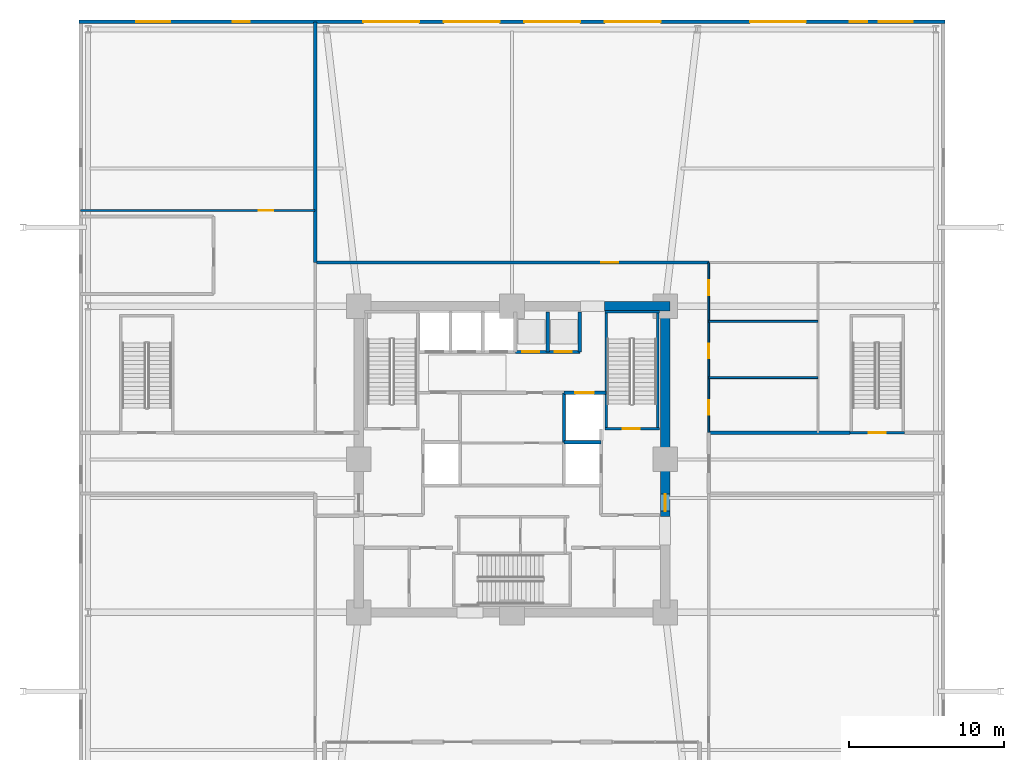
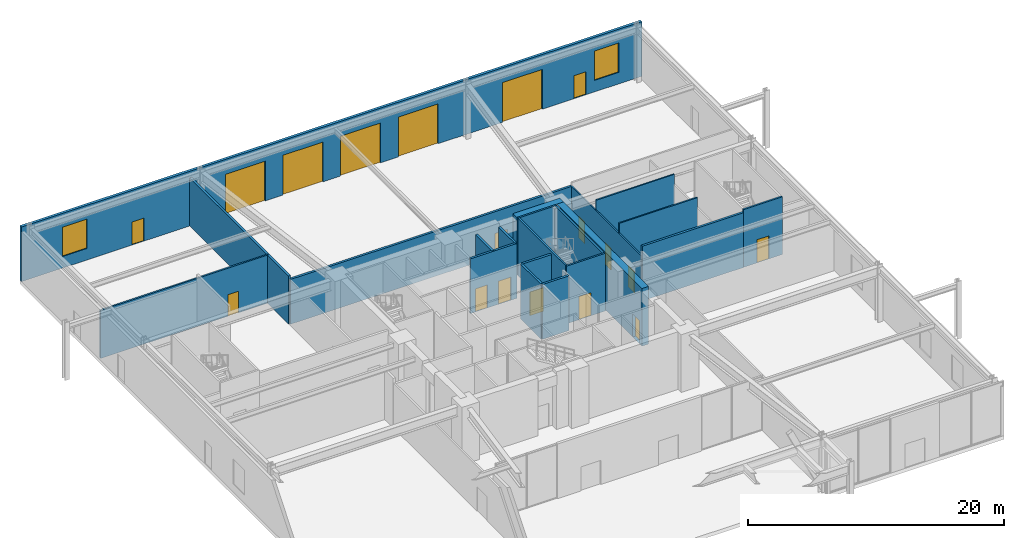
# One storey, part 20 of 24: 21 walls, 18 doors, 2 windows, 20 openings.
"""IFC4 building model written with IfcOpenShell, lengths in metres."""

from ifc_helpers import new_model, si_unit, direction, frame, frame_2d, origin, place, context, subcontext, project, spatial, rectangle, extrude, material, layer, layer_set, type_object, element, fill, save


model = new_model("IFC4")

# Units and contexts
model_context = context("Model", 3, precision=1e-05, world=origin(), true_north=direction((0.0, 1.0)))
body_context = subcontext(model_context, "Body", "Model", "MODEL_VIEW")
ifc_project = project(units=[si_unit("LENGTHUNIT", "METRE"), si_unit("AREAUNIT", "SQUARE_METRE"), si_unit("VOLUMEUNIT", "CUBIC_METRE"), si_unit("PLANEANGLEUNIT", "RADIAN"), si_unit("MASSUNIT", "GRAM", prefix="KILO")], contexts=[model_context])

# Site, building, storey
site_placement = place(None, origin())
site = spatial("IfcSite", under=ifc_project, at=site_placement, CompositionType="ELEMENT")
building_placement = place(site_placement, origin())
building = spatial("IfcBuilding", under=site, at=building_placement, Name="Kolvaren Belvedere", CompositionType="ELEMENT")
storey_placement = place(building_placement, origin())
storey = spatial("IfcBuildingStorey", under=building, at=storey_placement, Name="L01", CompositionType="ELEMENT", Elevation=0.0)

# Wall
ifc_material_1 = material(Name="Concrete C60/75", Category="concrete")
ifc_layer_1 = layer(ifc_material_1, 0.60009765625)
ifc_layer_set_1 = layer_set([ifc_layer_1], Name="Concrete C60/75")
wall_type_1 = type_object("IfcWallType", Name="CW-CORE-600", PredefinedType="SHEAR", material=ifc_layer_set_1)
wall_1_placement = place(storey_placement, frame((5.97998046875, 9.89990234375, 0.0), z_axis=(0.0, 0.0, 1.0), x_axis=(1.0, 0.0, 0.0)))
element("IfcWall", 1, at=wall_1_placement, inside=storey, type_object=wall_type_1, Name="L01 North Core Shear Wall 2", PredefinedType="SHEAR", context=body_context, shape_type="SweptSolid", body=[
    extrude(rectangle(XDim=4.219970703125, YDim=0.60009765625, at=frame_2d((2.10986328125, 0.0))), origin(), (0.0, 0.0, 1.0), 5.5),
])

# Wall, opening, door
wall_2_placement = place(storey_placement, frame((9.89990234375, -3.699951171875, 0.0), z_axis=(0.0, 0.0, 1.0), x_axis=(0.0, 1.0, 0.0)))
wall_2 = element("IfcWall", 2, at=wall_2_placement, inside=storey, type_object=wall_type_1, Name="L01 East Core Shear Wall 2", PredefinedType="SHEAR", context=body_context, shape_type="SweptSolid", body=[
    extrude(rectangle(XDim=13.300048828125, YDim=0.60009765625, at=frame_2d((6.64990234375, 0.0))), origin(), (0.0, 0.0, 1.0), 5.5),
])
opening_1_placement = place(wall_2_placement, frame((0.35009765625, 0.0, 0.0)))
opening_1 = element("IfcOpeningElement", 3, at=opening_1_placement, cuts=wall_2, Name="Opening D-FD90", PredefinedType="OPENING", context=body_context, shape_type="SweptSolid", body=[
    extrude(rectangle(XDim=1.10009765625, YDim=2.199951171875, at=frame_2d((0.550048828125, 1.10009765625))), frame((0.0, 0.31005859375, 0.0), z_axis=(0.0, -1.0, 0.0), x_axis=(1.0, 0.0, 0.0)), (0.0, 0.0, 1.0), 0.6201171875),
])
ifc_material_2 = material(Name="Painted hollow stainless steel", Category="steel")
door_type_1 = type_object("IfcDoorType", Name="DR-FD90-1100", OperationType="NOTDEFINED", PredefinedType="DOOR", material=ifc_material_2)
door_1_placement = place(opening_1_placement, origin())
door_1 = element("IfcDoor", 4, at=door_1_placement, inside=storey, type_object=door_type_1, Name="L01 East Firefighting Lobby Fire Door", OperationType="SINGLE_SWING_RIGHT", OverallHeight=2.199951171875, OverallWidth=1.10009765625, PredefinedType="DOOR", context=body_context, shape_type="SweptSolid", body=[
    extrude(rectangle(XDim=1.10009765625, YDim=2.199951171875, at=frame_2d((0.550048828125, 1.10009765625))), frame((0.0, 0.02490234375, 0.0), z_axis=(0.0, -1.0, 0.0), x_axis=(1.0, 0.0, 0.0)), (0.0, 0.0, 1.0), 0.050048828125),
])
fill(opening_1, door_1)

ifc_material_3 = material(Name="Concrete C50/60", Category="concrete")
ifc_layer_2 = layer(ifc_material_3, 0.159912109375)
ifc_layer_set_2 = layer_set([ifc_layer_2], Name="Concrete C50/60")
wall_type_2 = type_object("IfcWallType", Name="CW-STAIR-160", PredefinedType="SHEAR", material=ifc_layer_set_2)
wall_3_placement = place(storey_placement, frame((6.0, 1.969970703125, 0.0), z_axis=(0.0, 0.0, 1.0), x_axis=(1.0, 0.0, 0.0)))
wall_3 = element("IfcWall", 5, at=wall_3_placement, inside=storey, type_object=wall_type_2, Name="L01 Stair ST-2 South Shear Wall", PredefinedType="SHEAR", context=body_context, shape_type="SweptSolid", body=[
    extrude(rectangle(XDim=3.52001953125, YDim=0.159912109375, at=frame_2d((1.760009765625, 0.0))), origin(), (0.0, 0.0, 1.0), 5.5),
])
opening_2_placement = place(wall_3_placement, frame((1.14990234375, 0.0, 0.0)))
opening_2 = element("IfcOpeningElement", 6, at=opening_2_placement, cuts=wall_3, Name="Opening D-FD90", PredefinedType="OPENING", context=body_context, shape_type="SweptSolid", body=[
    extrude(rectangle(XDim=1.10009765625, YDim=2.199951171875, at=frame_2d((0.550048828125, 1.10009765625))), frame((0.0, 0.08984375, 0.0), z_axis=(0.0, -1.0, 0.0), x_axis=(1.0, 0.0, 0.0)), (0.0, 0.0, 1.0), 0.179931640625),
])
door_2_placement = place(opening_2_placement, origin())
door_2 = element("IfcDoor", 7, at=door_2_placement, inside=storey, type_object=door_type_1, Name="L01 Stair ST-2 Fire Door", OperationType="SINGLE_SWING_RIGHT", OverallHeight=2.199951171875, OverallWidth=1.10009765625, PredefinedType="DOOR", context=body_context, shape_type="SweptSolid", body=[
    extrude(rectangle(XDim=1.10009765625, YDim=2.199951171875, at=frame_2d((0.550048828125, 1.10009765625))), frame((0.0, 0.02490234375, 0.0), z_axis=(0.0, -1.0, 0.0), x_axis=(1.0, 0.0, 0.0)), (0.0, 0.0, 1.0), 0.050048828125),
])
fill(opening_2, door_2)

# Walls
wall_4_placement = place(storey_placement, frame((6.0, 9.530029296875, 0.0), z_axis=(0.0, 0.0, 1.0), x_axis=(1.0, 0.0, 0.0)))
element("IfcWall", 8, at=wall_4_placement, inside=storey, type_object=wall_type_2, Name="L01 Stair ST-2 North Shear Wall", PredefinedType="SHEAR", context=body_context, shape_type="SweptSolid", body=[
    extrude(rectangle(XDim=3.52001953125, YDim=0.159912109375, at=frame_2d((1.760009765625, 0.0))), origin(), (0.0, 0.0, 1.0), 5.5),
])
for number, where, z_axis, x_axis, name in (
    (9, (6.080078125, 1.969970703125, 0.0), (0.0, 0.0, 1.0), (0.0, 1.0, 0.0), "L01 Stair ST-2 West Shear Wall"),
    (10, (9.429931640625, 1.969970703125, 0.0), (0.0, 0.0, 1.0), (0.0, 1.0, 0.0), "L01 Stair ST-2 East Shear Wall"),
):
    element("IfcWall", number, at=place(storey_placement, frame(where, z_axis=z_axis, x_axis=x_axis)), inside=storey, type_object=wall_type_2, Name=name, PredefinedType="SHEAR", context=body_context, shape_type="SweptSolid", body=[
        extrude(rectangle(XDim=7.56005859375, YDim=0.159912109375, at=frame_2d((3.780029296875, 0.0))), origin(), (0.0, 0.0, 1.0), 5.5),
    ])

# Wall, opening, door
wall_5_placement = place(storey_placement, frame((21.85009765625, 1.719970703125, 0.0), z_axis=(0.0, 0.0, 1.0), x_axis=(1.0, 0.0, 0.0)))
wall_5 = element("IfcWall", 11, at=wall_5_placement, inside=storey, type_object=wall_type_2, Name="L01 Stair ST-P2 South Shear Wall", PredefinedType="SHEAR", context=body_context, shape_type="SweptSolid", body=[
    extrude(rectangle(XDim=3.510009765625, YDim=0.159912109375, at=frame_2d((1.7548828125, 0.0))), origin(), (0.0, 0.0, 1.0), 5.5),
])
opening_3_placement = place(wall_5_placement, frame((1.199951171875, 0.0, 0.0)))
opening_3 = element("IfcOpeningElement", 12, at=opening_3_placement, cuts=wall_5, Name="Opening D-FD90", PredefinedType="OPENING", context=body_context, shape_type="SweptSolid", body=[
    extrude(rectangle(XDim=1.10009765625, YDim=2.199951171875, at=frame_2d((0.550048828125, 1.10009765625))), frame((0.0, 0.08984375, 0.0), z_axis=(0.0, -1.0, 0.0), x_axis=(1.0, 0.0, 0.0)), (0.0, 0.0, 1.0), 0.179931640625),
])
door_3_placement = place(opening_3_placement, origin())
door_3 = element("IfcDoor", 13, at=door_3_placement, inside=storey, type_object=door_type_1, Name="L01 Podium Stair ST-P2 Exit Door", OperationType="SINGLE_SWING_RIGHT", OverallHeight=2.199951171875, OverallWidth=1.10009765625, PredefinedType="DOOR", context=body_context, shape_type="SweptSolid", body=[
    extrude(rectangle(XDim=1.10009765625, YDim=2.199951171875, at=frame_2d((0.550048828125, 1.10009765625))), frame((0.0, 0.02490234375, 0.0), z_axis=(0.0, -1.0, 0.0), x_axis=(1.0, 0.0, 0.0)), (0.0, 0.0, 1.0), 0.050048828125),
])
fill(opening_3, door_3)

# Wall, openings, doors, windows
ifc_material_4 = material(Name="Insulated pale-metal facade wall assembly", Category="aluminium")
ifc_layer_3 = layer(ifc_material_4, 0.239990234375)
ifc_layer_set_3 = layer_set([ifc_layer_3], Name="Insulated pale-metal facade wall assembly")
wall_type_3 = type_object("IfcWallType", Name="WL-EXT-240", PredefinedType="STANDARD", material=ifc_layer_set_3)
wall_6_placement = place(storey_placement, frame((-28.0, 28.280029296875, 0.0), z_axis=(0.0, 0.0, 1.0), x_axis=(1.0, 0.0, 0.0)))
wall_6 = element("IfcWall", 14, at=wall_6_placement, inside=storey, type_object=wall_type_3, Name="L01 North Loading & Service Facade Wall", PredefinedType="STANDARD", context=body_context, shape_type="SweptSolid", body=[
    extrude(rectangle(XDim=56.0, YDim=0.239990234375, at=frame_2d((28.0, 0.0))), origin(), (0.0, 0.0, 1.0), 5.219970703125),
])
opening_4_placement = place(wall_6_placement, frame((18.39990234375, 0.0, 0.0)))
opening_4 = element("IfcOpeningElement", 15, at=opening_4_placement, cuts=wall_6, Name="Opening DG-3600", PredefinedType="OPENING", context=body_context, shape_type="SweptSolid", body=[
    extrude(rectangle(XDim=3.60009765625, YDim=3.800048828125, at=frame_2d((1.800048828125, 1.89990234375))), frame((0.0, 0.1298828125, 0.0), z_axis=(0.0, -1.0, 0.0), x_axis=(1.0, 0.0, 0.0)), (0.0, 0.0, 1.0), 0.260009765625),
])
opening_5_placement = place(wall_6_placement, frame((23.60009765625, 0.0, 0.0)))
opening_5 = element("IfcOpeningElement", 16, at=opening_5_placement, cuts=wall_6, Name="Opening DG-3600", PredefinedType="OPENING", context=body_context, shape_type="SweptSolid", body=[
    extrude(rectangle(XDim=3.60009765625, YDim=3.800048828125, at=frame_2d((1.800048828125, 1.89990234375))), frame((0.0, 0.1298828125, 0.0), z_axis=(0.0, -1.0, 0.0), x_axis=(1.0, 0.0, 0.0)), (0.0, 0.0, 1.0), 0.260009765625),
])
opening_6_placement = place(wall_6_placement, frame((28.800048828125, 0.0, 0.0)))
opening_6 = element("IfcOpeningElement", 17, at=opening_6_placement, cuts=wall_6, Name="Opening DG-3600", PredefinedType="OPENING", context=body_context, shape_type="SweptSolid", body=[
    extrude(rectangle(XDim=3.60009765625, YDim=3.800048828125, at=frame_2d((1.800048828125, 1.89990234375))), frame((0.0, 0.1298828125, 0.0), z_axis=(0.0, -1.0, 0.0), x_axis=(1.0, 0.0, 0.0)), (0.0, 0.0, 1.0), 0.260009765625),
])
opening_7_placement = place(wall_6_placement, frame((34.0, 0.0, 0.0)))
opening_7 = element("IfcOpeningElement", 18, at=opening_7_placement, cuts=wall_6, Name="Opening DG-3600", PredefinedType="OPENING", context=body_context, shape_type="SweptSolid", body=[
    extrude(rectangle(XDim=3.60009765625, YDim=3.800048828125, at=frame_2d((1.800048828125, 1.89990234375))), frame((0.0, 0.1298828125, 0.0), z_axis=(0.0, -1.0, 0.0), x_axis=(1.0, 0.0, 0.0)), (0.0, 0.0, 1.0), 0.260009765625),
])
opening_8_placement = place(wall_6_placement, frame((43.39990234375, 0.0, 0.0)))
opening_8 = element("IfcOpeningElement", 19, at=opening_8_placement, cuts=wall_6, Name="Opening DG-3600", PredefinedType="OPENING", context=body_context, shape_type="SweptSolid", body=[
    extrude(rectangle(XDim=3.60009765625, YDim=3.800048828125, at=frame_2d((1.800048828125, 1.89990234375))), frame((0.0, 0.1298828125, 0.0), z_axis=(0.0, -1.0, 0.0), x_axis=(1.0, 0.0, 0.0)), (0.0, 0.0, 1.0), 0.260009765625),
])
opening_9_placement = place(wall_6_placement, frame((9.949951171875, 0.0, 0.0)))
opening_9 = element("IfcOpeningElement", 20, at=opening_9_placement, cuts=wall_6, Name="Opening DEX-1100", PredefinedType="OPENING", context=body_context, shape_type="SweptSolid", body=[
    extrude(rectangle(XDim=1.10009765625, YDim=2.199951171875, at=frame_2d((0.550048828125, 1.10009765625))), frame((0.0, 0.1298828125, 0.0), z_axis=(0.0, -1.0, 0.0), x_axis=(1.0, 0.0, 0.0)), (0.0, 0.0, 1.0), 0.260009765625),
])
opening_10_placement = place(wall_6_placement, frame((49.85009765625, 0.0, 0.0)))
opening_10 = element("IfcOpeningElement", 21, at=opening_10_placement, cuts=wall_6, Name="Opening DEX-1100", PredefinedType="OPENING", context=body_context, shape_type="SweptSolid", body=[
    extrude(rectangle(XDim=1.10009765625, YDim=2.199951171875, at=frame_2d((0.550048828125, 1.10009765625))), frame((0.0, 0.1298828125, 0.0), z_axis=(0.0, -1.0, 0.0), x_axis=(1.0, 0.0, 0.0)), (0.0, 0.0, 1.0), 0.260009765625),
])
opening_11_placement = place(wall_6_placement, frame((3.699951171875, 0.0, 1.10009765625)))
opening_11 = element("IfcOpeningElement", 22, at=opening_11_placement, cuts=wall_6, Name="Opening W-2200", PredefinedType="OPENING", context=body_context, shape_type="SweptSolid", body=[
    extrude(rectangle(XDim=2.199951171875, YDim=2.800048828125, at=frame_2d((1.10009765625, 1.39990234375))), frame((0.0, 0.1298828125, 0.0), z_axis=(0.0, -1.0, 0.0), x_axis=(1.0, 0.0, 0.0)), (0.0, 0.0, 1.0), 0.260009765625),
])
opening_12_placement = place(wall_6_placement, frame((51.699951171875, 0.0, 1.10009765625)))
opening_12 = element("IfcOpeningElement", 23, at=opening_12_placement, cuts=wall_6, Name="Opening W-2200", PredefinedType="OPENING", context=body_context, shape_type="SweptSolid", body=[
    extrude(rectangle(XDim=2.199951171875, YDim=2.800048828125, at=frame_2d((1.10009765625, 1.39990234375))), frame((0.0, 0.1298828125, 0.0), z_axis=(0.0, -1.0, 0.0), x_axis=(1.0, 0.0, 0.0)), (0.0, 0.0, 1.0), 0.260009765625),
])
ifc_material_5 = material(Name="Insulated pale-metal steel roller shutter", Category="steel")
door_type_2 = type_object("IfcDoorType", Name="DR-DOCK-3600", OperationType="ROLLINGUP", PredefinedType="GATE", material=ifc_material_5)
door_4_placement = place(opening_4_placement, origin())
door_4 = element("IfcDoor", 24, at=door_4_placement, inside=storey, type_object=door_type_2, Name="L01 Loading Bay Roller Shutter Gate 1", OperationType="ROLLINGUP", OverallHeight=3.800048828125, OverallWidth=3.60009765625, PredefinedType="GATE", context=body_context, shape_type="SweptSolid", body=[
    extrude(rectangle(XDim=3.60009765625, YDim=3.800048828125, at=frame_2d((1.800048828125, 1.89990234375))), frame((0.0, 0.02490234375, 0.0), z_axis=(0.0, -1.0, 0.0), x_axis=(1.0, 0.0, 0.0)), (0.0, 0.0, 1.0), 0.050048828125),
])
fill(opening_4, door_4)
door_5_placement = place(opening_5_placement, origin())
door_5 = element("IfcDoor", 25, at=door_5_placement, inside=storey, type_object=door_type_2, Name="L01 Loading Bay Roller Shutter Gate 2", OperationType="ROLLINGUP", OverallHeight=3.800048828125, OverallWidth=3.60009765625, PredefinedType="GATE", context=body_context, shape_type="SweptSolid", body=[
    extrude(rectangle(XDim=3.60009765625, YDim=3.800048828125, at=frame_2d((1.800048828125, 1.89990234375))), frame((0.0, 0.02490234375, 0.0), z_axis=(0.0, -1.0, 0.0), x_axis=(1.0, 0.0, 0.0)), (0.0, 0.0, 1.0), 0.050048828125),
])
fill(opening_5, door_5)
door_6_placement = place(opening_6_placement, origin())
door_6 = element("IfcDoor", 26, at=door_6_placement, inside=storey, type_object=door_type_2, Name="L01 Loading Bay Roller Shutter Gate 3", OperationType="ROLLINGUP", OverallHeight=3.800048828125, OverallWidth=3.60009765625, PredefinedType="GATE", context=body_context, shape_type="SweptSolid", body=[
    extrude(rectangle(XDim=3.60009765625, YDim=3.800048828125, at=frame_2d((1.800048828125, 1.89990234375))), frame((0.0, 0.02490234375, 0.0), z_axis=(0.0, -1.0, 0.0), x_axis=(1.0, 0.0, 0.0)), (0.0, 0.0, 1.0), 0.050048828125),
])
fill(opening_6, door_6)
door_7_placement = place(opening_7_placement, origin())
door_7 = element("IfcDoor", 27, at=door_7_placement, inside=storey, type_object=door_type_2, Name="L01 Loading Bay Roller Shutter Gate 4", OperationType="ROLLINGUP", OverallHeight=3.800048828125, OverallWidth=3.60009765625, PredefinedType="GATE", context=body_context, shape_type="SweptSolid", body=[
    extrude(rectangle(XDim=3.60009765625, YDim=3.800048828125, at=frame_2d((1.800048828125, 1.89990234375))), frame((0.0, 0.02490234375, 0.0), z_axis=(0.0, -1.0, 0.0), x_axis=(1.0, 0.0, 0.0)), (0.0, 0.0, 1.0), 0.050048828125),
])
fill(opening_7, door_7)
door_8_placement = place(opening_8_placement, origin())
door_8 = element("IfcDoor", 28, at=door_8_placement, inside=storey, type_object=door_type_2, Name="L01 Loading Bay Roller Shutter Gate 5", OperationType="ROLLINGUP", OverallHeight=3.800048828125, OverallWidth=3.60009765625, PredefinedType="GATE", context=body_context, shape_type="SweptSolid", body=[
    extrude(rectangle(XDim=3.60009765625, YDim=3.800048828125, at=frame_2d((1.800048828125, 1.89990234375))), frame((0.0, 0.02490234375, 0.0), z_axis=(0.0, -1.0, 0.0), x_axis=(1.0, 0.0, 0.0)), (0.0, 0.0, 1.0), 0.050048828125),
])
fill(opening_8, door_8)
ifc_material_6 = material(Name="Insulated hollow stainless-steel fire exit door", Category="steel")
door_type_3 = type_object("IfcDoorType", Name="DR-EXIT-1100", OperationType="NOTDEFINED", PredefinedType="DOOR", material=ifc_material_6)
door_9_placement = place(opening_9_placement, origin())
door_9 = element("IfcDoor", 29, at=door_9_placement, inside=storey, type_object=door_type_3, Name="L01 North-West Street Exit Door", OperationType="SINGLE_SWING_RIGHT", OverallHeight=2.199951171875, OverallWidth=1.10009765625, PredefinedType="DOOR", context=body_context, shape_type="SweptSolid", body=[
    extrude(rectangle(XDim=1.10009765625, YDim=2.199951171875, at=frame_2d((0.550048828125, 1.10009765625))), frame((0.0, 0.02490234375, 0.0), z_axis=(0.0, -1.0, 0.0), x_axis=(1.0, 0.0, 0.0)), (0.0, 0.0, 1.0), 0.050048828125),
])
fill(opening_9, door_9)
door_10_placement = place(opening_10_placement, origin())
door_10 = element("IfcDoor", 30, at=door_10_placement, inside=storey, type_object=door_type_3, Name="L01 North-East Street Exit Door", OperationType="SINGLE_SWING_LEFT", OverallHeight=2.199951171875, OverallWidth=1.10009765625, PredefinedType="DOOR", context=body_context, shape_type="SweptSolid", body=[
    extrude(rectangle(XDim=1.10009765625, YDim=2.199951171875, at=frame_2d((0.550048828125, 1.10009765625))), frame((0.0, 0.02490234375, 0.0), z_axis=(0.0, -1.0, 0.0), x_axis=(1.0, 0.0, 0.0)), (0.0, 0.0, 1.0), 0.050048828125),
])
fill(opening_10, door_10)
ifc_material_7 = material(Name="Low-iron laminated vision glass", Category="glass")
window_type = type_object("IfcWindowType", Name="WN-OBS-2200", PartitioningType="SINGLE_PANEL", PredefinedType="WINDOW", material=ifc_material_7)
window_1_placement = place(opening_11_placement, origin())
window_1 = element("IfcWindow", 31, at=window_1_placement, inside=storey, type_object=window_type, Name="L01 North Clerestory Window 1", OverallHeight=2.800048828125, OverallWidth=2.199951171875, PartitioningType="SINGLE_PANEL", PredefinedType="WINDOW", context=body_context, shape_type="SweptSolid", body=[
    extrude(rectangle(XDim=2.199951171875, YDim=2.800048828125, at=frame_2d((1.10009765625, 1.39990234375))), frame((0.0, 0.030029296875, 0.0), z_axis=(0.0, -1.0, 0.0), x_axis=(1.0, 0.0, 0.0)), (0.0, 0.0, 1.0), 0.06005859375),
])
fill(opening_11, window_1)
window_2_placement = place(opening_12_placement, origin())
window_2 = element("IfcWindow", 32, at=window_2_placement, inside=storey, type_object=window_type, Name="L01 North Clerestory Window 2", OverallHeight=2.800048828125, OverallWidth=2.199951171875, PartitioningType="SINGLE_PANEL", PredefinedType="WINDOW", context=body_context, shape_type="SweptSolid", body=[
    extrude(rectangle(XDim=2.199951171875, YDim=2.800048828125, at=frame_2d((1.10009765625, 1.39990234375))), frame((0.0, 0.030029296875, 0.0), z_axis=(0.0, -1.0, 0.0), x_axis=(1.0, 0.0, 0.0)), (0.0, 0.0, 1.0), 0.06005859375),
])
fill(opening_12, window_2)

# Wall, opening, door
ifc_material_8 = material(Name="Gypsum acoustic partition assembly", Category="gypsum")
ifc_layer_4 = layer(ifc_material_8, 0.14990234375)
ifc_layer_set_4 = layer_set([ifc_layer_4], Name="Gypsum acoustic partition assembly")
wall_type_4 = type_object("IfcWallType", Name="WL-PART-150", PredefinedType="PARTITIONING", material=ifc_layer_set_4)
wall_7_placement = place(storey_placement, frame((-27.8798828125, 16.080078125, 0.0), z_axis=(0.0, 0.0, 1.0), x_axis=(1.0, 0.0, 0.0)))
wall_7 = element("IfcWall", 33, at=wall_7_placement, inside=storey, type_object=wall_type_4, Name="L01 Concierge North Wall", PredefinedType="PARTITIONING", context=body_context, shape_type="SweptSolid", body=[
    extrude(rectangle(XDim=15.159912109375, YDim=0.14990234375, at=frame_2d((7.580078125, 0.0))), origin(), (0.0, 0.0, 1.0), 4.589111328125),
])
opening_13_placement = place(wall_7_placement, frame((11.5, 0.0, 0.0)))
opening_13 = element("IfcOpeningElement", 34, at=opening_13_placement, cuts=wall_7, Name="Opening D-FD60", PredefinedType="OPENING", context=body_context, shape_type="SweptSolid", body=[
    extrude(rectangle(XDim=0.949951171875, YDim=2.06005859375, at=frame_2d((0.47509765625, 1.030029296875))), frame((0.0, 0.0849609375, 0.0), z_axis=(0.0, -1.0, 0.0), x_axis=(1.0, 0.0, 0.0)), (0.0, 0.0, 1.0), 0.169921875),
])
ifc_material_9 = material(Name="Acoustic white-oak fire door leaf", Category="timber")
door_type_4 = type_object("IfcDoorType", Name="DR-FD60-950", OperationType="NOTDEFINED", PredefinedType="DOOR", material=ifc_material_9)
door_11_placement = place(opening_13_placement, origin())
door_11 = element("IfcDoor", 35, at=door_11_placement, inside=storey, type_object=door_type_4, Name="L01 Receiving Hall Door", OperationType="SINGLE_SWING_RIGHT", OverallHeight=2.06005859375, OverallWidth=0.949951171875, PredefinedType="DOOR", context=body_context, shape_type="SweptSolid", body=[
    extrude(rectangle(XDim=0.949951171875, YDim=2.06005859375, at=frame_2d((0.47509765625, 1.030029296875))), frame((0.0, 0.02490234375, 0.0), z_axis=(0.0, -1.0, 0.0), x_axis=(1.0, 0.0, 0.0)), (0.0, 0.0, 1.0), 0.050048828125),
])
fill(opening_13, door_11)

# Wall
ifc_material_10 = material(Name="Concrete C50/60", Category="concrete")
ifc_layer_5 = layer(ifc_material_10, 0.199951171875)
ifc_layer_set_5 = layer_set([ifc_layer_5], Name="Concrete C50/60")
wall_type_5 = type_object("IfcWallType", Name="WL-SHAFT-200", PredefinedType="SOLIDWALL", material=ifc_layer_set_5)
wall_8_placement = place(storey_placement, frame((3.35009765625, 1.10009765625, 0.0), z_axis=(0.0, 0.0, 1.0), x_axis=(1.0, 0.0, 0.0)))
element("IfcWall", 36, at=wall_8_placement, inside=storey, type_object=wall_type_5, Name="L01 FSAE FS2 North Wall", PredefinedType="SOLIDWALL", context=body_context, shape_type="SweptSolid", body=[
    extrude(rectangle(XDim=2.39990234375, YDim=0.199951171875, at=frame_2d((1.199951171875, 0.0))), origin(), (0.0, 0.0, 1.0), 5.219970703125),
])

# Wall, opening, door
wall_9_placement = place(storey_placement, frame((3.35009765625, 4.300048828125, 0.0), z_axis=(0.0, 0.0, 1.0), x_axis=(1.0, 0.0, 0.0)))
wall_9 = element("IfcWall", 37, at=wall_9_placement, inside=storey, type_object=wall_type_5, Name="L01 Service Lift SV1 Front Wall", PredefinedType="SOLIDWALL", context=body_context, shape_type="SweptSolid", body=[
    extrude(rectangle(XDim=2.72998046875, YDim=0.199951171875, at=frame_2d((1.364990234375, 0.0))), origin(), (0.0, 0.0, 1.0), 5.219970703125),
])
opening_14_placement = place(wall_9_placement, frame((0.75, 0.0, 0.0)))
opening_14 = element("IfcOpeningElement", 38, at=opening_14_placement, cuts=wall_9, Name="Opening LD-12", PredefinedType="OPENING", context=body_context, shape_type="SweptSolid", body=[
    extrude(rectangle(XDim=1.199951171875, YDim=2.25, at=frame_2d((0.60009765625, 1.125))), frame((0.0, 0.10986328125, 0.0), z_axis=(0.0, -1.0, 0.0), x_axis=(1.0, 0.0, 0.0)), (0.0, 0.0, 1.0), 0.219970703125),
])
ifc_material_11 = material(Name="Brushed stainless steel", Category="steel")
door_type_5 = type_object("IfcDoorType", Name="DR-LIFT-1200", OperationType="DOUBLE_DOOR_SLIDING", PredefinedType="DOOR", material=ifc_material_11)
door_12_placement = place(opening_14_placement, origin())
door_12 = element("IfcDoor", 39, at=door_12_placement, inside=storey, type_object=door_type_5, Name="L01 Service Lift SV1 Landing Door", OperationType="DOUBLE_DOOR_SLIDING", OverallHeight=2.25, OverallWidth=1.199951171875, PredefinedType="DOOR", context=body_context, shape_type="SweptSolid", body=[
    extrude(rectangle(XDim=1.199951171875, YDim=2.25, at=frame_2d((0.60009765625, 1.125))), frame((0.0, 0.02490234375, 0.0), z_axis=(0.0, -1.0, 0.0), x_axis=(1.0, 0.0, 0.0)), (0.0, 0.0, 1.0), 0.050048828125),
])
fill(opening_14, door_12)

# Wall, openings, doors
wall_10_placement = place(storey_placement, frame((0.219970703125, 6.949951171875, 0.0), z_axis=(0.0, 0.0, 1.0), x_axis=(1.0, 0.0, 0.0)))
wall_10 = element("IfcWall", 40, at=wall_10_placement, inside=storey, type_object=wall_type_5, Name="L01 Express Shuttle Hoistway Wall", PredefinedType="SOLIDWALL", context=body_context, shape_type="SweptSolid", body=[
    extrude(rectangle(XDim=4.179931640625, YDim=0.199951171875, at=frame_2d((2.08984375, 0.0))), origin(), (0.0, 0.0, 1.0), 5.219970703125),
])
opening_15_placement = place(wall_10_placement, frame((0.449951171875, 0.0, 0.0)))
opening_15 = element("IfcOpeningElement", 41, at=opening_15_placement, cuts=wall_10, Name="Opening LD-11", PredefinedType="OPENING", context=body_context, shape_type="SweptSolid", body=[
    extrude(rectangle(XDim=1.10009765625, YDim=2.199951171875, at=frame_2d((0.550048828125, 1.10009765625))), frame((0.0, 0.10986328125, 0.0), z_axis=(0.0, -1.0, 0.0), x_axis=(1.0, 0.0, 0.0)), (0.0, 0.0, 1.0), 0.219970703125),
])
opening_16_placement = place(wall_10_placement, frame((2.530029296875, 0.0, 0.0)))
opening_16 = element("IfcOpeningElement", 42, at=opening_16_placement, cuts=wall_10, Name="Opening LD-11", PredefinedType="OPENING", context=body_context, shape_type="SweptSolid", body=[
    extrude(rectangle(XDim=1.10009765625, YDim=2.199951171875, at=frame_2d((0.550048828125, 1.10009765625))), frame((0.0, 0.10986328125, 0.0), z_axis=(0.0, -1.0, 0.0), x_axis=(1.0, 0.0, 0.0)), (0.0, 0.0, 1.0), 0.219970703125),
])
ifc_material_12 = material(Name="Brushed stainless steel", Category="steel")
door_type_6 = type_object("IfcDoorType", Name="DR-LIFT-1100", OperationType="DOUBLE_DOOR_SLIDING", PredefinedType="DOOR", material=ifc_material_12)
door_13_placement = place(opening_15_placement, origin())
door_13 = element("IfcDoor", 43, at=door_13_placement, inside=storey, type_object=door_type_6, Name="L01 Express Observation Lift EX1 Landing Door", OperationType="DOUBLE_DOOR_SLIDING", OverallHeight=2.199951171875, OverallWidth=1.10009765625, PredefinedType="DOOR", context=body_context, shape_type="SweptSolid", body=[
    extrude(rectangle(XDim=1.10009765625, YDim=2.199951171875, at=frame_2d((0.550048828125, 1.10009765625))), frame((0.0, 0.02490234375, 0.0), z_axis=(0.0, -1.0, 0.0), x_axis=(1.0, 0.0, 0.0)), (0.0, 0.0, 1.0), 0.050048828125),
])
fill(opening_15, door_13)
door_14_placement = place(opening_16_placement, origin())
door_14 = element("IfcDoor", 44, at=door_14_placement, inside=storey, type_object=door_type_6, Name="L01 Express Observation Lift EX2 Landing Door", OperationType="DOUBLE_DOOR_SLIDING", OverallHeight=2.199951171875, OverallWidth=1.10009765625, PredefinedType="DOOR", context=body_context, shape_type="SweptSolid", body=[
    extrude(rectangle(XDim=1.10009765625, YDim=2.199951171875, at=frame_2d((0.550048828125, 1.10009765625))), frame((0.0, 0.02490234375, 0.0), z_axis=(0.0, -1.0, 0.0), x_axis=(1.0, 0.0, 0.0)), (0.0, 0.0, 1.0), 0.050048828125),
])
fill(opening_16, door_14)

# Walls
for number, where, z_axis, x_axis, name in (
    (45, (4.3798828125, 6.949951171875, 0.0), (0.0, 0.0, 1.0), (0.0, 1.0, 0.0), "L01 Express Shuttle East Wall"),
    (46, (2.31005859375, 6.949951171875, 0.0), (0.0, 0.0, 1.0), (0.0, 1.0, 0.0), "L01 Express Shuttle Divider"),
):
    element("IfcWall", number, at=place(storey_placement, frame(where, z_axis=z_axis, x_axis=x_axis)), inside=storey, type_object=wall_type_5, Name=name, PredefinedType="SOLIDWALL", context=body_context, shape_type="SweptSolid", body=[
        extrude(rectangle(XDim=2.570068359375, YDim=0.199951171875, at=frame_2d((1.28515625, 0.0))), origin(), (0.0, 0.0, 1.0), 5.219970703125),
    ])
wall_11_placement = place(storey_placement, frame((3.35009765625, 1.10009765625, 0.0), z_axis=(0.0, 0.0, 1.0), x_axis=(0.0, 1.0, 0.0)))
element("IfcWall", 47, at=wall_11_placement, inside=storey, type_object=wall_type_5, Name="L01 Central Core Room East Wall", PredefinedType="SOLIDWALL", context=body_context, shape_type="SweptSolid", body=[
    extrude(rectangle(XDim=3.199951171875, YDim=0.199951171875, at=frame_2d((1.60009765625, 0.0))), origin(), (0.0, 0.0, 1.0), 5.219970703125),
])
wall_12_placement = place(storey_placement, frame((12.719970703125, 1.719970703125, 0.0), z_axis=(0.0, 0.0, 1.0), x_axis=(1.0, 0.0, 0.0)))
element("IfcWall", 48, at=wall_12_placement, inside=storey, type_object=wall_type_5, Name="L01 East Exit Passage North Inner Wall", PredefinedType="SOLIDWALL", context=body_context, shape_type="SweptSolid", body=[
    extrude(rectangle(XDim=9.130126953125, YDim=0.199951171875, at=frame_2d((4.56494140625, 0.0))), origin(), (0.0, 0.0, 1.0), 5.219970703125),
])
wall_13_placement = place(storey_placement, frame((-12.719970703125, 12.719970703125, 0.0), z_axis=(0.0, 0.0, 1.0), x_axis=(0.0, 1.0, 0.0)))
element("IfcWall", 49, at=wall_13_placement, inside=storey, type_object=wall_type_5, Name="L01 Loading West Fire Wall", PredefinedType="SOLIDWALL", context=body_context, shape_type="SweptSolid", body=[
    extrude(rectangle(XDim=15.56005859375, YDim=0.199951171875, at=frame_2d((7.780029296875, 0.0))), origin(), (0.0, 0.0, 1.0), 4.589111328125),
])

# Wall, opening, door
wall_14_placement = place(storey_placement, frame((-12.719970703125, 12.719970703125, 0.0), z_axis=(0.0, 0.0, 1.0), x_axis=(1.0, 0.0, 0.0)))
wall_14 = element("IfcWall", 50, at=wall_14_placement, inside=storey, type_object=wall_type_5, Name="L01 Loading South Fire Wall", PredefinedType="SOLIDWALL", context=body_context, shape_type="SweptSolid", body=[
    extrude(rectangle(XDim=25.43994140625, YDim=0.199951171875, at=frame_2d((12.719970703125, 0.0))), origin(), (0.0, 0.0, 1.0), 4.278076171875),
])
opening_17_placement = place(wall_14_placement, frame((18.5, 0.0, 0.0)))
opening_17 = element("IfcOpeningElement", 51, at=opening_17_placement, cuts=wall_14, Name="Opening D-FD90", PredefinedType="OPENING", context=body_context, shape_type="SweptSolid", body=[
    extrude(rectangle(XDim=1.10009765625, YDim=2.199951171875, at=frame_2d((0.550048828125, 1.10009765625))), frame((0.0, 0.10986328125, 0.0), z_axis=(0.0, -1.0, 0.0), x_axis=(1.0, 0.0, 0.0)), (0.0, 0.0, 1.0), 0.219970703125),
])
door_15_placement = place(opening_17_placement, origin())
door_15 = element("IfcDoor", 52, at=door_15_placement, inside=storey, type_object=door_type_1, Name="L01 Loading Bay Service Door", OperationType="SINGLE_SWING_LEFT", OverallHeight=2.199951171875, OverallWidth=1.10009765625, PredefinedType="DOOR", context=body_context, shape_type="SweptSolid", body=[
    extrude(rectangle(XDim=1.10009765625, YDim=2.199951171875, at=frame_2d((0.550048828125, 1.10009765625))), frame((0.0, 0.02490234375, 0.0), z_axis=(0.0, -1.0, 0.0), x_axis=(1.0, 0.0, 0.0)), (0.0, 0.0, 1.0), 0.050048828125),
])
fill(opening_17, door_15)

# Wall, openings, doors
ifc_material_13 = material(Name="Moisture-resistant gypsum partition", Category="gypsum")
ifc_layer_6 = layer(ifc_material_13, 0.125)
ifc_layer_set_6 = layer_set([ifc_layer_6], Name="Moisture-resistant gypsum partition")
wall_type_6 = type_object("IfcWallType", Name="WL-WET-125", PredefinedType="PARTITIONING", material=ifc_layer_set_6)
wall_15_placement = place(storey_placement, frame((12.719970703125, 1.719970703125, 0.0), z_axis=(0.0, 0.0, 1.0), x_axis=(0.0, 1.0, 0.0)))
wall_15 = element("IfcWall", 53, at=wall_15_placement, inside=storey, type_object=wall_type_6, Name="L01 Washrooms West Wall", PredefinedType="PARTITIONING", context=body_context, shape_type="SweptSolid", body=[
    extrude(rectangle(XDim=11.0, YDim=0.125, at=frame_2d((5.5, 0.0))), origin(), (0.0, 0.0, 1.0), 4.278076171875),
])
opening_18_placement = place(wall_15_placement, frame((1.14990234375, 0.0, 0.0)))
opening_18 = element("IfcOpeningElement", 54, at=opening_18_placement, cuts=wall_15, Name="Opening D-INT95", PredefinedType="OPENING", context=body_context, shape_type="SweptSolid", body=[
    extrude(rectangle(XDim=0.949951171875, YDim=2.06005859375, at=frame_2d((0.47509765625, 1.030029296875))), frame((0.0, 0.072509765625, 0.0), z_axis=(0.0, -1.0, 0.0), x_axis=(1.0, 0.0, 0.0)), (0.0, 0.0, 1.0), 0.14501953125),
])
opening_19_placement = place(wall_15_placement, frame((4.800048828125, 0.0, 0.0)))
opening_19 = element("IfcOpeningElement", 55, at=opening_19_placement, cuts=wall_15, Name="Opening D-INT95", PredefinedType="OPENING", context=body_context, shape_type="SweptSolid", body=[
    extrude(rectangle(XDim=0.949951171875, YDim=2.06005859375, at=frame_2d((0.47509765625, 1.030029296875))), frame((0.0, 0.072509765625, 0.0), z_axis=(0.0, -1.0, 0.0), x_axis=(1.0, 0.0, 0.0)), (0.0, 0.0, 1.0), 0.14501953125),
])
opening_20_placement = place(wall_15_placement, frame((8.89990234375, 0.0, 0.0)))
opening_20 = element("IfcOpeningElement", 56, at=opening_20_placement, cuts=wall_15, Name="Opening D-INT95", PredefinedType="OPENING", context=body_context, shape_type="SweptSolid", body=[
    extrude(rectangle(XDim=0.949951171875, YDim=2.06005859375, at=frame_2d((0.47509765625, 1.030029296875))), frame((0.0, 0.072509765625, 0.0), z_axis=(0.0, -1.0, 0.0), x_axis=(1.0, 0.0, 0.0)), (0.0, 0.0, 1.0), 0.14501953125),
])
ifc_material_14 = material(Name="Stained Pacific white oak", Category="timber")
door_type_7 = type_object("IfcDoorType", Name="DR-INT-950", OperationType="NOTDEFINED", PredefinedType="DOOR", material=ifc_material_14)
door_16_placement = place(opening_18_placement, origin())
door_16 = element("IfcDoor", 57, at=door_16_placement, inside=storey, type_object=door_type_7, Name="L01 Men's Washroom Door", OperationType="SINGLE_SWING_RIGHT", OverallHeight=2.06005859375, OverallWidth=0.949951171875, PredefinedType="DOOR", context=body_context, shape_type="SweptSolid", body=[
    extrude(rectangle(XDim=0.949951171875, YDim=2.06005859375, at=frame_2d((0.47509765625, 1.030029296875))), frame((0.0, 0.02490234375, 0.0), z_axis=(0.0, -1.0, 0.0), x_axis=(1.0, 0.0, 0.0)), (0.0, 0.0, 1.0), 0.050048828125),
])
fill(opening_18, door_16)
door_17_placement = place(opening_19_placement, origin())
door_17 = element("IfcDoor", 58, at=door_17_placement, inside=storey, type_object=door_type_7, Name="L01 Women's Washroom Door", OperationType="SINGLE_SWING_LEFT", OverallHeight=2.06005859375, OverallWidth=0.949951171875, PredefinedType="DOOR", context=body_context, shape_type="SweptSolid", body=[
    extrude(rectangle(XDim=0.949951171875, YDim=2.06005859375, at=frame_2d((0.47509765625, 1.030029296875))), frame((0.0, 0.02490234375, 0.0), z_axis=(0.0, -1.0, 0.0), x_axis=(1.0, 0.0, 0.0)), (0.0, 0.0, 1.0), 0.050048828125),
])
fill(opening_19, door_17)
door_18_placement = place(opening_20_placement, origin())
door_18 = element("IfcDoor", 59, at=door_18_placement, inside=storey, type_object=door_type_7, Name="L01 Accessible Washroom Door", OperationType="SINGLE_SWING_RIGHT", OverallHeight=2.06005859375, OverallWidth=0.949951171875, PredefinedType="DOOR", context=body_context, shape_type="SweptSolid", body=[
    extrude(rectangle(XDim=0.949951171875, YDim=2.06005859375, at=frame_2d((0.47509765625, 1.030029296875))), frame((0.0, 0.02490234375, 0.0), z_axis=(0.0, -1.0, 0.0), x_axis=(1.0, 0.0, 0.0)), (0.0, 0.0, 1.0), 0.050048828125),
])
fill(opening_20, door_18)

# Walls
for number, where, z_axis, x_axis, name in (
    (60, (12.719970703125, 5.280029296875, 0.0), (0.0, 0.0, 1.0), (1.0, 0.0, 0.0), "L01 Washrooms Divider 1"),
    (61, (12.719970703125, 8.919921875, 0.0), (0.0, 0.0, 1.0), (1.0, 0.0, 0.0), "L01 Washrooms Divider 2"),
):
    element("IfcWall", number, at=place(storey_placement, frame(where, z_axis=z_axis, x_axis=x_axis)), inside=storey, type_object=wall_type_6, Name=name, PredefinedType="PARTITIONING", context=body_context, shape_type="SweptSolid", body=[
        extrude(rectangle(XDim=7.06005859375, YDim=0.125, at=frame_2d((3.530029296875, 0.0))), origin(), (0.0, 0.0, 1.0), 5.219970703125),
    ])

save(model, "model.ifc")
